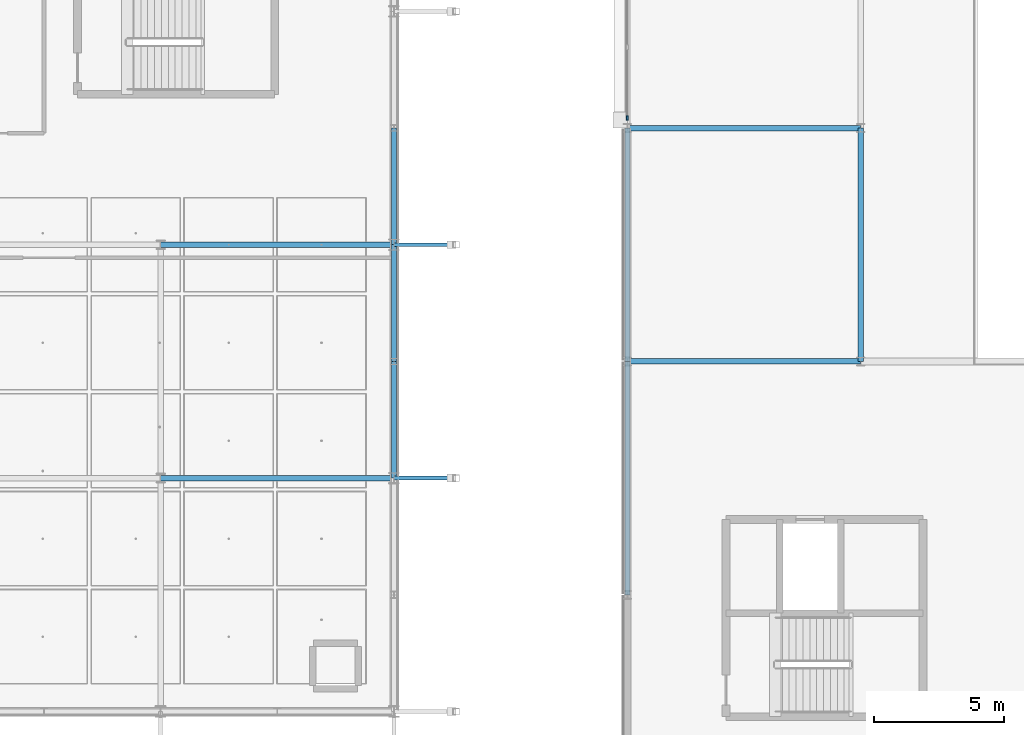
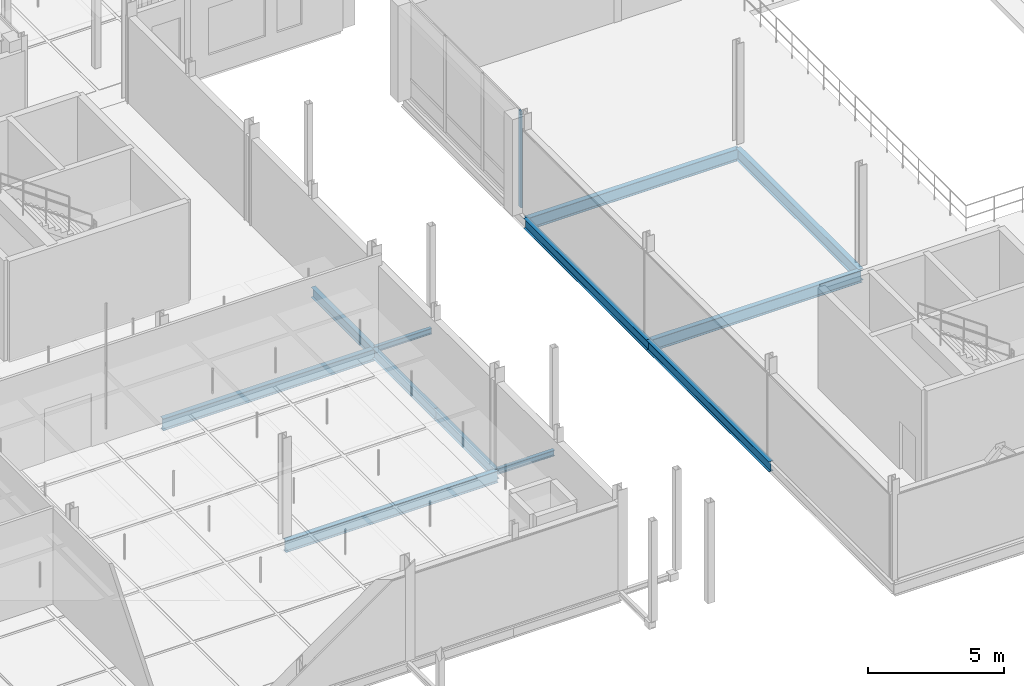
# One storey, part 27 of 130: 12 beams, 1 member, 1 element without a shape of its own.
"""IFC4 building model written with IfcOpenShell, lengths in metres."""

from ifc_helpers import new_model, si_unit, direction, frame, origin, origin_2d, place, context, subcontext, project, spatial, rectangle, i_section, extrude, material, material_profile, profile_set, type_object, element, aggregate, save


model = new_model("IFC4")

# Units and contexts
model_context = context("Model", 3, precision=1e-05, world=origin(), true_north=direction((0.0, 1.0)))
body_context = subcontext(model_context, "Body", "Model", "MODEL_VIEW")
ifc_project = project(units=[si_unit("LENGTHUNIT", "METRE"), si_unit("AREAUNIT", "SQUARE_METRE"), si_unit("VOLUMEUNIT", "CUBIC_METRE"), si_unit("PLANEANGLEUNIT", "RADIAN"), si_unit("MASSUNIT", "GRAM", prefix="KILO"), si_unit("THERMODYNAMICTEMPERATUREUNIT", "KELVIN"), si_unit("POWERUNIT", "WATT")], contexts=[model_context])

# Site, building, storey
site_placement = place(None, origin())
site = spatial("IfcSite", under=ifc_project, at=site_placement, CompositionType="ELEMENT")
building_placement = place(site_placement, origin())
building = spatial("IfcBuilding", under=site, at=building_placement, Name="Tallowbark Science Centre", CompositionType="ELEMENT")
storey_placement = place(building_placement, frame((0.0, 0.0, 5.39990234375)))
storey = spatial("IfcBuildingStorey", under=building, at=storey_placement, Name="L01", CompositionType="ELEMENT", Elevation=5.39990234375)

# Beams
ifc_material_1 = material(Name="White Architectural Painted Steel Grade C350L0 (350 MPa)", Category="steel")
ifc_material_profile_1 = material_profile(ifc_material_1, i_section(OverallWidth=0.146484375, OverallDepth=0.256103515625, WebThickness=0.00634765625, FlangeThickness=0.010986328125, FilletRadius=0.0087890625, at=origin_2d()), Name="250UB37.3")
ifc_profile_set_1 = profile_set([ifc_material_profile_1], Name="White Architectural Painted Steel Grade C350L0 (350 MPa)")
beam_type_1 = type_object("IfcBeamType", Name="BM-OUT250", PredefinedType="BEAM", material=ifc_profile_set_1)
for number, where, z_axis, x_axis, name in (
    (1, (103.5, 13.5, -0.25), (1.0, 0.0, 0.0), (0.0, 1.0, 0.0), "Star Screen Outrigger Tie Beam E-14"),
    (2, (103.5, 22.5, -0.25), (1.0, 0.0, 0.0), (0.0, 1.0, 0.0), "Star Screen Outrigger Tie Beam E-15"),
):
    element("IfcBeam", number, at=place(storey_placement, frame(where, z_axis=z_axis, x_axis=x_axis)), inside=storey, type_object=beam_type_1, Name=name, PredefinedType="BEAM", context=body_context, shape_type="SweptSolid", body=[
        extrude(i_section(OverallWidth=0.146484375, OverallDepth=0.256103515625, WebThickness=0.00634765625, FlangeThickness=0.010986328125, FilletRadius=0.0087890625, at=origin_2d()), origin(), (0.0, 0.0, 1.0), 2.39990234375),
    ])
ifc_material_2 = material(Name="Structural Steel Grade 300PLUS (300 MPa)", Category="steel")
ifc_material_profile_2 = material_profile(ifc_material_2, i_section(OverallWidth=0.208984375, OverallDepth=0.532958984375, WebThickness=0.01025390625, FlangeThickness=0.015625, FilletRadius=0.013916015625, at=origin_2d()), Name="530UB92.4")
ifc_profile_set_2 = profile_set([ifc_material_profile_2], Name="Structural Steel Grade 300PLUS (300 MPa)")
beam_type_2 = type_object("IfcBeamType", Name="BM-UB530A", PredefinedType="BEAM", material=ifc_profile_set_2)
for number, where, z_axis, x_axis, name in (
    (3, (94.5, 13.5, -0.4462890625), (1.0, 0.0, 0.0), (0.0, 1.0, 0.0), "Primary Girder GRDX-L01-945-1035-135"),
    (4, (112.5, 18.0, -0.511474609375), (1.0, 0.0, 0.0), (0.0, 1.0, 0.0), "Primary Girder GRDX-L01-1125-1215-180"),
    (5, (94.5, 22.5, -0.4462890625), (1.0, 0.0, 0.0), (0.0, 1.0, 0.0), "Primary Girder GRDX-L01-945-1035-225"),
    (6, (112.5, 27.0, -0.511474609375), (1.0, 0.0, 0.0), (0.0, 1.0, 0.0), "Primary Girder GRDX-L01-1125-1215-270"),
):
    element("IfcBeam", number, at=place(storey_placement, frame(where, z_axis=z_axis, x_axis=x_axis)), inside=storey, type_object=beam_type_2, Name=name, PredefinedType="BEAM", context=body_context, shape_type="SweptSolid", body=[
        extrude(i_section(OverallWidth=0.208984375, OverallDepth=0.532958984375, WebThickness=0.01025390625, FlangeThickness=0.015625, FilletRadius=0.013916015625, at=origin_2d()), origin(), (0.0, 0.0, 1.0), 9.0),
    ])
ifc_material_profile_3 = material_profile(ifc_material_2, i_section(OverallWidth=0.208740234375, OverallDepth=0.5283203125, WebThickness=0.009521484375, FlangeThickness=0.01318359375, FilletRadius=0.013916015625, at=origin_2d()), Name="530UB82.0")
ifc_profile_set_3 = profile_set([ifc_material_profile_3], Name="Structural Steel Grade 300PLUS (300 MPa)")
beam_type_3 = type_object("IfcBeamType", Name="BM-UB530B", PredefinedType="BEAM", material=ifc_profile_set_3)
beam_placement = place(storey_placement, frame((121.5, 18.0, -0.509033203125), z_axis=(0.0, 1.0, 0.0), x_axis=(-1.0, 0.0, 0.0)))
element("IfcBeam", 7, at=beam_placement, inside=storey, type_object=beam_type_3, Name="Primary Girder GRDY-L01-1215-180-270", PredefinedType="BEAM", context=body_context, shape_type="SweptSolid", body=[
    extrude(i_section(OverallWidth=0.208740234375, OverallDepth=0.5283203125, WebThickness=0.009521484375, FlangeThickness=0.01318359375, FilletRadius=0.013916015625, at=origin_2d()), origin(), (0.0, 0.0, 1.0), 9.0),
])

# Curtain wall, member
ifc_material_3 = material(Name="Unitised Thermally Broken Aluminium and Low-E Double Glazing", Category="aluminium")
curtain_wall_type = type_object("IfcCurtainWallType", Name="CW-SYS-FACADE", PredefinedType="NOTDEFINED", material=ifc_material_3)
curtain_wall_placement = place(storey_placement, origin())
curtain_wall = element("IfcCurtainWall", 8, at=curtain_wall_placement, inside=storey, type_object=curtain_wall_type, Name="Unitised Curtain Wall THT-W-3 CW-L01-005", PredefinedType="NOTDEFINED")
ifc_material_4 = material(Name="Anodised Architectural Aluminium Alloy 6063-T6", Category="aluminium")
ifc_material_profile_4 = material_profile(ifc_material_4, rectangle(XDim=0.06494140625, YDim=0.179931640625, at=origin_2d()), Name="ALU65x180")
ifc_profile_set_4 = profile_set([ifc_material_profile_4], Name="Anodised Architectural Aluminium Alloy 6063-T6")
member_type = type_object("IfcMemberType", Name="CWM-MUL-220", PredefinedType="MULLION", material=ifc_profile_set_4)
member_placement = place(storey_placement, frame((112.5, 27.382568359375, 0.0), z_axis=(0.0, 0.0, 1.0), x_axis=(1.0, 0.0, 0.0)))
member = element("IfcMember", 9, at=member_placement, type_object=member_type, Name="CW-01 mullion 4", PredefinedType="MULLION", context=body_context, shape_type="SweptSolid", body=[
    extrude(rectangle(XDim=0.06494140625, YDim=0.179931640625, at=origin_2d()), origin(), (0.0, 0.0, 1.0), 4.320068359375),
])
aggregate(curtain_wall, [member])

# Beams
ifc_material_profile_5 = material_profile(ifc_material_2, i_section(OverallWidth=0.18994140625, OverallDepth=0.453857421875, WebThickness=0.008544921875, FlangeThickness=0.0126953125, FilletRadius=0.011474609375, at=origin_2d()), Name="460UB67.1")
ifc_profile_set_5 = profile_set([ifc_material_profile_5], Name="Structural Steel Grade 300PLUS (300 MPa)")
beam_type_4 = type_object("IfcBeamType", Name="SPN-UB460", PredefinedType="SPANDREL", material=ifc_profile_set_5)
for number, where, z_axis, x_axis, name in (
    (10, (103.5, 13.5, -0.40673828125), (0.0, 1.0, 0.0), (-1.0, 0.0, 0.0), "Primary Girder GRDY-L01-1035-135-180"),
    (11, (103.5, 18.0, -0.40673828125), (0.0, 1.0, 0.0), (-1.0, 0.0, 0.0), "Primary Girder GRDY-L01-1035-180-225"),
    (12, (103.5, 22.5, -0.40673828125), (0.0, 1.0, 0.0), (-1.0, 0.0, 0.0), "Primary Girder GRDY-L01-1035-225-270"),
):
    element("IfcBeam", number, at=place(storey_placement, frame(where, z_axis=z_axis, x_axis=x_axis)), inside=storey, type_object=beam_type_4, Name=name, PredefinedType="SPANDREL", context=body_context, shape_type="SweptSolid", body=[
        extrude(i_section(OverallWidth=0.18994140625, OverallDepth=0.453857421875, WebThickness=0.008544921875, FlangeThickness=0.0126953125, FilletRadius=0.011474609375, at=origin_2d()), origin(), (0.0, 0.0, 1.0), 4.5),
    ])
for number, where, z_axis, x_axis, name in (
    (13, (112.5, 9.0, -0.471923828125), (0.0, 1.0, 0.0), (-1.0, 0.0, 0.0), "Primary Girder GRDY-L01-1125-90-180"),
    (14, (112.5, 18.0, -0.471923828125), (0.0, 1.0, 0.0), (-1.0, 0.0, 0.0), "Primary Girder GRDY-L01-1125-180-270"),
):
    element("IfcBeam", number, at=place(storey_placement, frame(where, z_axis=z_axis, x_axis=x_axis)), inside=storey, type_object=beam_type_4, Name=name, PredefinedType="SPANDREL", context=body_context, shape_type="SweptSolid", body=[
        extrude(i_section(OverallWidth=0.18994140625, OverallDepth=0.453857421875, WebThickness=0.008544921875, FlangeThickness=0.0126953125, FilletRadius=0.011474609375, at=origin_2d()), origin(), (0.0, 0.0, 1.0), 9.0),
    ])

save(model, "model.ifc")
